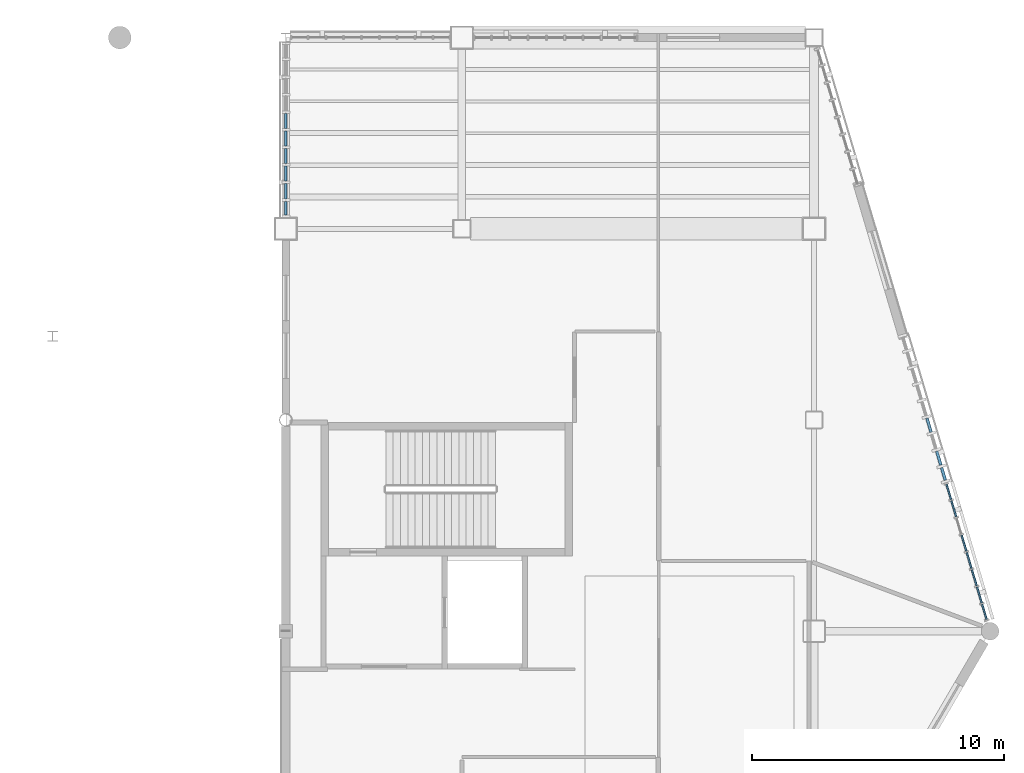
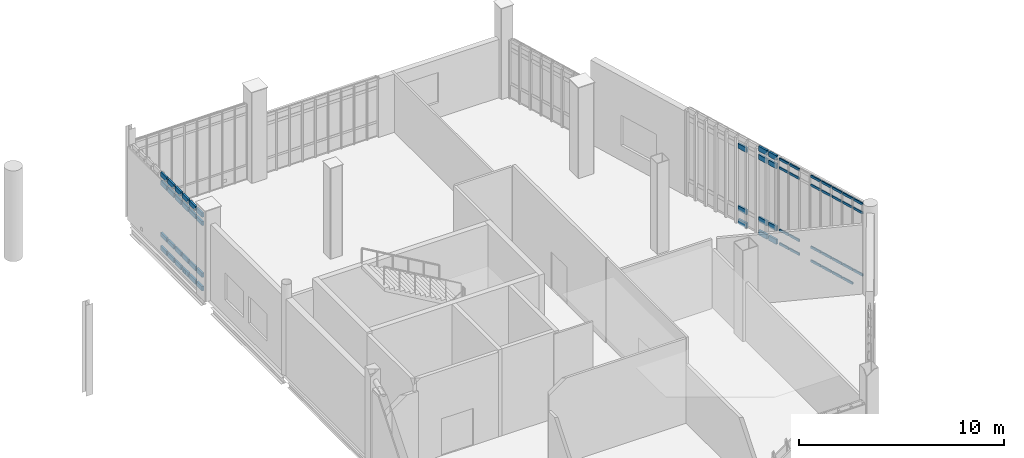
# One storey, part 64 of 127: 62 members, 3 elements without a shape of their own.
"""IFC4 building model written with IfcOpenShell, lengths in metres."""

from ifc_helpers import new_model, si_unit, direction, frame, origin, origin_2d, place, context, subcontext, project, spatial, rectangle, extrude, material, material_profile, profile_set, type_object, element, aggregate, save


model = new_model("IFC4")

# Units and contexts
model_context = context("Model", 3, precision=1e-05, world=origin(), true_north=direction((0.0, 1.0)))
body_context = subcontext(model_context, "Body", "Model", "MODEL_VIEW")
ifc_project = project(units=[si_unit("LENGTHUNIT", "METRE"), si_unit("AREAUNIT", "SQUARE_METRE"), si_unit("VOLUMEUNIT", "CUBIC_METRE"), si_unit("PLANEANGLEUNIT", "RADIAN"), si_unit("MASSUNIT", "GRAM", prefix="KILO")], contexts=[model_context])

# Site, building, storey
site_placement = place(None, origin())
site = spatial("IfcSite", under=ifc_project, at=site_placement, CompositionType="ELEMENT")
building_placement = place(site_placement, origin())
building = spatial("IfcBuilding", under=site, at=building_placement, Name="Larkvane Passage Sports Hall", CompositionType="ELEMENT")
storey_placement = place(building_placement, frame((0.0, 0.0, 5.39990234375)))
storey = spatial("IfcBuildingStorey", under=building, at=storey_placement, Name="L01", CompositionType="ELEMENT", Elevation=5.39990234375)

# Curtain wall, members
ifc_material_1 = material(Name="Thermally broken aluminium and low-E glazing", Category="aluminium")
curtain_wall_type_1 = type_object("IfcCurtainWallType", Name="CW-CLINIC", PredefinedType="USERDEFINED", material=ifc_material_1)
curtain_wall_1_placement = place(storey_placement, origin())
curtain_wall_1 = element("IfcCurtainWall", 1, at=curtain_wall_1_placement, inside=storey, type_object=curtain_wall_type_1, Name="Curtain wall CW5-L01-051", ObjectType="UNITISED CURTAIN WALL", PredefinedType="USERDEFINED")
ifc_material_2 = material(Name="Anodised aluminium 6063-T6", Category="aluminium")
ifc_material_profile_1 = material_profile(ifc_material_2, rectangle(XDim=0.10009765625, YDim=0.260009765625, at=origin_2d()), Name="ALU-TRN-100x260")
ifc_profile_set_1 = profile_set([ifc_material_profile_1], Name="Anodised aluminium 6063-T6")
member_type_1 = type_object("IfcMemberType", Name="CW-TRN-100x260", PredefinedType="USERDEFINED", material=ifc_profile_set_1)
member_1_placement = place(storey_placement, frame((124.60009765625, 92.14599609375, 0.050048828125), z_axis=(0.0, 1.0, 0.0), x_axis=(-1.0, 0.0, 0.0)))
member_1 = element("IfcMember", 2, at=member_1_placement, type_object=member_type_1, Name="CW-05 transom 1.1", ObjectType="TRANSOM", PredefinedType="USERDEFINED", context=body_context, shape_type="SweptSolid", body=[
    extrude(rectangle(XDim=0.10009765625, YDim=0.260009765625, at=origin_2d()), origin(), (0.0, 0.0, 1.0), 0.54833984375),
])
member_2_placement = place(storey_placement, frame((124.60009765625, 92.14599609375, 0.85009765625), z_axis=(0.0, 1.0, 0.0), x_axis=(-1.0, 0.0, 0.0)))
member_2 = element("IfcMember", 3, at=member_2_placement, type_object=member_type_1, Name="CW-05 transom 1.2", ObjectType="TRANSOM", PredefinedType="USERDEFINED", context=body_context, shape_type="SweptSolid", body=[
    extrude(rectangle(XDim=0.10009765625, YDim=0.260009765625, at=origin_2d()), origin(), (0.0, 0.0, 1.0), 0.54833984375),
])
member_3_placement = place(storey_placement, frame((124.60009765625, 92.14599609375, 3.93017578125), z_axis=(0.0, 1.0, 0.0), x_axis=(-1.0, 0.0, 0.0)))
member_3 = element("IfcMember", 4, at=member_3_placement, type_object=member_type_1, Name="CW-05 transom 1.3", ObjectType="TRANSOM", PredefinedType="USERDEFINED", context=body_context, shape_type="SweptSolid", body=[
    extrude(rectangle(XDim=0.10009765625, YDim=0.260009765625, at=origin_2d()), origin(), (0.0, 0.0, 1.0), 0.54833984375),
])
member_4_placement = place(storey_placement, frame((124.60009765625, 92.14599609375, 4.43017578125), z_axis=(0.0, 1.0, 0.0), x_axis=(-1.0, 0.0, 0.0)))
member_4 = element("IfcMember", 5, at=member_4_placement, type_object=member_type_1, Name="CW-05 transom 1.4", ObjectType="TRANSOM", PredefinedType="USERDEFINED", context=body_context, shape_type="SweptSolid", body=[
    extrude(rectangle(XDim=0.10009765625, YDim=0.260009765625, at=origin_2d()), origin(), (0.0, 0.0, 1.0), 0.54833984375),
])
member_5_placement = place(storey_placement, frame((124.60009765625, 92.794189453125, 0.050048828125), z_axis=(0.0, 1.0, 0.0), x_axis=(-1.0, 0.0, 0.0)))
member_5 = element("IfcMember", 6, at=member_5_placement, type_object=member_type_1, Name="CW-05 transom 2.1", ObjectType="TRANSOM", PredefinedType="USERDEFINED", context=body_context, shape_type="SweptSolid", body=[
    extrude(rectangle(XDim=0.10009765625, YDim=0.260009765625, at=origin_2d()), origin(), (0.0, 0.0, 1.0), 0.598388671875),
])
member_6_placement = place(storey_placement, frame((124.60009765625, 92.794189453125, 0.85009765625), z_axis=(0.0, 1.0, 0.0), x_axis=(-1.0, 0.0, 0.0)))
member_6 = element("IfcMember", 7, at=member_6_placement, type_object=member_type_1, Name="CW-05 transom 2.2", ObjectType="TRANSOM", PredefinedType="USERDEFINED", context=body_context, shape_type="SweptSolid", body=[
    extrude(rectangle(XDim=0.10009765625, YDim=0.260009765625, at=origin_2d()), origin(), (0.0, 0.0, 1.0), 0.598388671875),
])
member_7_placement = place(storey_placement, frame((124.60009765625, 92.794189453125, 3.93017578125), z_axis=(0.0, 1.0, 0.0), x_axis=(-1.0, 0.0, 0.0)))
member_7 = element("IfcMember", 8, at=member_7_placement, type_object=member_type_1, Name="CW-05 transom 2.3", ObjectType="TRANSOM", PredefinedType="USERDEFINED", context=body_context, shape_type="SweptSolid", body=[
    extrude(rectangle(XDim=0.10009765625, YDim=0.260009765625, at=origin_2d()), origin(), (0.0, 0.0, 1.0), 0.598388671875),
])
member_8_placement = place(storey_placement, frame((124.60009765625, 92.794189453125, 4.43017578125), z_axis=(0.0, 1.0, 0.0), x_axis=(-1.0, 0.0, 0.0)))
member_8 = element("IfcMember", 9, at=member_8_placement, type_object=member_type_1, Name="CW-05 transom 2.4", ObjectType="TRANSOM", PredefinedType="USERDEFINED", context=body_context, shape_type="SweptSolid", body=[
    extrude(rectangle(XDim=0.10009765625, YDim=0.260009765625, at=origin_2d()), origin(), (0.0, 0.0, 1.0), 0.598388671875),
])
member_9_placement = place(storey_placement, frame((124.60009765625, 93.49267578125, 0.050048828125), z_axis=(0.0, 1.0, 0.0), x_axis=(-1.0, 0.0, 0.0)))
member_9 = element("IfcMember", 10, at=member_9_placement, type_object=member_type_1, Name="CW-05 transom 3.1", ObjectType="TRANSOM", PredefinedType="USERDEFINED", context=body_context, shape_type="SweptSolid", body=[
    extrude(rectangle(XDim=0.10009765625, YDim=0.260009765625, at=origin_2d()), origin(), (0.0, 0.0, 1.0), 0.59814453125),
])
member_10_placement = place(storey_placement, frame((124.60009765625, 93.49267578125, 0.85009765625), z_axis=(0.0, 1.0, 0.0), x_axis=(-1.0, 0.0, 0.0)))
member_10 = element("IfcMember", 11, at=member_10_placement, type_object=member_type_1, Name="CW-05 transom 3.2", ObjectType="TRANSOM", PredefinedType="USERDEFINED", context=body_context, shape_type="SweptSolid", body=[
    extrude(rectangle(XDim=0.10009765625, YDim=0.260009765625, at=origin_2d()), origin(), (0.0, 0.0, 1.0), 0.59814453125),
])
member_11_placement = place(storey_placement, frame((124.60009765625, 93.49267578125, 3.93017578125), z_axis=(0.0, 1.0, 0.0), x_axis=(-1.0, 0.0, 0.0)))
member_11 = element("IfcMember", 12, at=member_11_placement, type_object=member_type_1, Name="CW-05 transom 3.3", ObjectType="TRANSOM", PredefinedType="USERDEFINED", context=body_context, shape_type="SweptSolid", body=[
    extrude(rectangle(XDim=0.10009765625, YDim=0.260009765625, at=origin_2d()), origin(), (0.0, 0.0, 1.0), 0.59814453125),
])
member_12_placement = place(storey_placement, frame((124.60009765625, 93.49267578125, 4.43017578125), z_axis=(0.0, 1.0, 0.0), x_axis=(-1.0, 0.0, 0.0)))
member_12 = element("IfcMember", 13, at=member_12_placement, type_object=member_type_1, Name="CW-05 transom 3.4", ObjectType="TRANSOM", PredefinedType="USERDEFINED", context=body_context, shape_type="SweptSolid", body=[
    extrude(rectangle(XDim=0.10009765625, YDim=0.260009765625, at=origin_2d()), origin(), (0.0, 0.0, 1.0), 0.59814453125),
])
member_13_placement = place(storey_placement, frame((124.60009765625, 94.19091796875, 0.050048828125), z_axis=(0.0, 1.0, 0.0), x_axis=(-1.0, 0.0, 0.0)))
member_13 = element("IfcMember", 14, at=member_13_placement, type_object=member_type_1, Name="CW-05 transom 4.1", ObjectType="TRANSOM", PredefinedType="USERDEFINED", context=body_context, shape_type="SweptSolid", body=[
    extrude(rectangle(XDim=0.10009765625, YDim=0.260009765625, at=origin_2d()), origin(), (0.0, 0.0, 1.0), 0.598388671875),
])
member_14_placement = place(storey_placement, frame((124.60009765625, 94.19091796875, 0.85009765625), z_axis=(0.0, 1.0, 0.0), x_axis=(-1.0, 0.0, 0.0)))
member_14 = element("IfcMember", 15, at=member_14_placement, type_object=member_type_1, Name="CW-05 transom 4.2", ObjectType="TRANSOM", PredefinedType="USERDEFINED", context=body_context, shape_type="SweptSolid", body=[
    extrude(rectangle(XDim=0.10009765625, YDim=0.260009765625, at=origin_2d()), origin(), (0.0, 0.0, 1.0), 0.598388671875),
])
member_15_placement = place(storey_placement, frame((124.60009765625, 94.19091796875, 3.93017578125), z_axis=(0.0, 1.0, 0.0), x_axis=(-1.0, 0.0, 0.0)))
member_15 = element("IfcMember", 16, at=member_15_placement, type_object=member_type_1, Name="CW-05 transom 4.3", ObjectType="TRANSOM", PredefinedType="USERDEFINED", context=body_context, shape_type="SweptSolid", body=[
    extrude(rectangle(XDim=0.10009765625, YDim=0.260009765625, at=origin_2d()), origin(), (0.0, 0.0, 1.0), 0.598388671875),
])
member_16_placement = place(storey_placement, frame((124.60009765625, 94.19091796875, 4.43017578125), z_axis=(0.0, 1.0, 0.0), x_axis=(-1.0, 0.0, 0.0)))
member_16 = element("IfcMember", 17, at=member_16_placement, type_object=member_type_1, Name="CW-05 transom 4.4", ObjectType="TRANSOM", PredefinedType="USERDEFINED", context=body_context, shape_type="SweptSolid", body=[
    extrude(rectangle(XDim=0.10009765625, YDim=0.260009765625, at=origin_2d()), origin(), (0.0, 0.0, 1.0), 0.598388671875),
])
member_17_placement = place(storey_placement, frame((124.60009765625, 94.88916015625, 0.050048828125), z_axis=(0.0, 1.0, 0.0), x_axis=(-1.0, 0.0, 0.0)))
member_17 = element("IfcMember", 18, at=member_17_placement, type_object=member_type_1, Name="CW-05 transom 5.1", ObjectType="TRANSOM", PredefinedType="USERDEFINED", context=body_context, shape_type="SweptSolid", body=[
    extrude(rectangle(XDim=0.10009765625, YDim=0.260009765625, at=origin_2d()), origin(), (0.0, 0.0, 1.0), 0.598388671875),
])
member_18_placement = place(storey_placement, frame((124.60009765625, 94.88916015625, 0.85009765625), z_axis=(0.0, 1.0, 0.0), x_axis=(-1.0, 0.0, 0.0)))
member_18 = element("IfcMember", 19, at=member_18_placement, type_object=member_type_1, Name="CW-05 transom 5.2", ObjectType="TRANSOM", PredefinedType="USERDEFINED", context=body_context, shape_type="SweptSolid", body=[
    extrude(rectangle(XDim=0.10009765625, YDim=0.260009765625, at=origin_2d()), origin(), (0.0, 0.0, 1.0), 0.598388671875),
])
member_19_placement = place(storey_placement, frame((124.60009765625, 94.88916015625, 3.93017578125), z_axis=(0.0, 1.0, 0.0), x_axis=(-1.0, 0.0, 0.0)))
member_19 = element("IfcMember", 20, at=member_19_placement, type_object=member_type_1, Name="CW-05 transom 5.3", ObjectType="TRANSOM", PredefinedType="USERDEFINED", context=body_context, shape_type="SweptSolid", body=[
    extrude(rectangle(XDim=0.10009765625, YDim=0.260009765625, at=origin_2d()), origin(), (0.0, 0.0, 1.0), 0.598388671875),
])
member_20_placement = place(storey_placement, frame((124.60009765625, 94.88916015625, 4.43017578125), z_axis=(0.0, 1.0, 0.0), x_axis=(-1.0, 0.0, 0.0)))
member_20 = element("IfcMember", 21, at=member_20_placement, type_object=member_type_1, Name="CW-05 transom 5.4", ObjectType="TRANSOM", PredefinedType="USERDEFINED", context=body_context, shape_type="SweptSolid", body=[
    extrude(rectangle(XDim=0.10009765625, YDim=0.260009765625, at=origin_2d()), origin(), (0.0, 0.0, 1.0), 0.598388671875),
])
member_21_placement = place(storey_placement, frame((124.60009765625, 95.58740234375, 0.050048828125), z_axis=(0.0, 1.0, 0.0), x_axis=(-1.0, 0.0, 0.0)))
member_21 = element("IfcMember", 22, at=member_21_placement, type_object=member_type_1, Name="CW-05 transom 6.1", ObjectType="TRANSOM", PredefinedType="USERDEFINED", context=body_context, shape_type="SweptSolid", body=[
    extrude(rectangle(XDim=0.10009765625, YDim=0.260009765625, at=origin_2d()), origin(), (0.0, 0.0, 1.0), 0.598388671875),
])
member_22_placement = place(storey_placement, frame((124.60009765625, 95.58740234375, 0.85009765625), z_axis=(0.0, 1.0, 0.0), x_axis=(-1.0, 0.0, 0.0)))
member_22 = element("IfcMember", 23, at=member_22_placement, type_object=member_type_1, Name="CW-05 transom 6.2", ObjectType="TRANSOM", PredefinedType="USERDEFINED", context=body_context, shape_type="SweptSolid", body=[
    extrude(rectangle(XDim=0.10009765625, YDim=0.260009765625, at=origin_2d()), origin(), (0.0, 0.0, 1.0), 0.598388671875),
])
member_23_placement = place(storey_placement, frame((124.60009765625, 95.58740234375, 3.93017578125), z_axis=(0.0, 1.0, 0.0), x_axis=(-1.0, 0.0, 0.0)))
member_23 = element("IfcMember", 24, at=member_23_placement, type_object=member_type_1, Name="CW-05 transom 6.3", ObjectType="TRANSOM", PredefinedType="USERDEFINED", context=body_context, shape_type="SweptSolid", body=[
    extrude(rectangle(XDim=0.10009765625, YDim=0.260009765625, at=origin_2d()), origin(), (0.0, 0.0, 1.0), 0.598388671875),
])
member_24_placement = place(storey_placement, frame((124.60009765625, 95.58740234375, 4.43017578125), z_axis=(0.0, 1.0, 0.0), x_axis=(-1.0, 0.0, 0.0)))
member_24 = element("IfcMember", 25, at=member_24_placement, type_object=member_type_1, Name="CW-05 transom 6.4", ObjectType="TRANSOM", PredefinedType="USERDEFINED", context=body_context, shape_type="SweptSolid", body=[
    extrude(rectangle(XDim=0.10009765625, YDim=0.260009765625, at=origin_2d()), origin(), (0.0, 0.0, 1.0), 0.598388671875),
])
aggregate(curtain_wall_1, [member_1, member_2, member_3, member_4, member_5, member_6, member_7, member_8, member_9, member_10, member_11, member_12, member_13, member_14, member_15, member_16, member_17, member_18, member_19, member_20, member_21, member_22, member_23, member_24])

curtain_wall_2_placement = place(storey_placement, origin())
curtain_wall_2 = element("IfcCurtainWall", 26, at=curtain_wall_2_placement, inside=storey, type_object=curtain_wall_type_1, Name="Curtain wall CW5-L01-055", ObjectType="UNITISED CURTAIN WALL", PredefinedType="USERDEFINED")
ifc_material_profile_2 = material_profile(ifc_material_2, rectangle(XDim=0.110107421875, YDim=0.2900390625, at=origin_2d()), Name="ALU-TRN-110x290")
ifc_profile_set_2 = profile_set([ifc_material_profile_2], Name="Anodised aluminium 6063-T6")
member_type_2 = type_object("IfcMemberType", Name="CW-TRN-110x290", PredefinedType="USERDEFINED", material=ifc_profile_set_2)
member_25_placement = place(storey_placement, frame((150.087890625, 84.069580078125, 0.05517578125), z_axis=(0.284146260843, -0.958780946019, 0.0), x_axis=(0.958780946019, 0.284146260843, 0.0)))
member_25 = element("IfcMember", 27, at=member_25_placement, type_object=member_type_2, Name="CW-05 transom 6.1", ObjectType="TRANSOM", PredefinedType="USERDEFINED", context=body_context, shape_type="SweptSolid", body=[
    extrude(rectangle(XDim=0.110107421875, YDim=0.2900390625, at=origin_2d()), origin(), (0.0, 0.0, 1.0), 0.573974609375),
])
member_26_placement = place(storey_placement, frame((150.087890625, 84.069580078125, 0.85009765625), z_axis=(0.284146260843, -0.958780946019, 0.0), x_axis=(0.958780946019, 0.284146260843, 0.0)))
member_26 = element("IfcMember", 28, at=member_26_placement, type_object=member_type_2, Name="CW-05 transom 6.2", ObjectType="TRANSOM", PredefinedType="USERDEFINED", context=body_context, shape_type="SweptSolid", body=[
    extrude(rectangle(XDim=0.110107421875, YDim=0.2900390625, at=origin_2d()), origin(), (0.0, 0.0, 1.0), 0.573974609375),
])
member_27_placement = place(storey_placement, frame((150.087890625, 84.069580078125, 4.550048828125), z_axis=(0.284146260843, -0.958780946019, 0.0), x_axis=(0.958780946019, 0.284146260843, 0.0)))
member_27 = element("IfcMember", 29, at=member_27_placement, type_object=member_type_2, Name="CW-05 transom 6.3", ObjectType="TRANSOM", PredefinedType="USERDEFINED", context=body_context, shape_type="SweptSolid", body=[
    extrude(rectangle(XDim=0.110107421875, YDim=0.2900390625, at=origin_2d()), origin(), (0.0, 0.0, 1.0), 0.573974609375),
])
member_28_placement = place(storey_placement, frame((150.476806640625, 82.75830078125, 0.05517578125), z_axis=(0.284262190939, -0.958746581116, 0.0), x_axis=(0.958746581116, 0.284262190939, 0.0)))
member_28 = element("IfcMember", 30, at=member_28_placement, type_object=member_type_2, Name="CW-05 transom 8.1", ObjectType="TRANSOM", PredefinedType="USERDEFINED", context=body_context, shape_type="SweptSolid", body=[
    extrude(rectangle(XDim=0.110107421875, YDim=0.2900390625, at=origin_2d()), origin(), (0.0, 0.0, 1.0), 0.57373046875),
])
member_29_placement = place(storey_placement, frame((150.476806640625, 82.75830078125, 0.85009765625), z_axis=(0.284262190939, -0.958746581116, 0.0), x_axis=(0.958746581116, 0.284262190939, 0.0)))
member_29 = element("IfcMember", 31, at=member_29_placement, type_object=member_type_2, Name="CW-05 transom 8.2", ObjectType="TRANSOM", PredefinedType="USERDEFINED", context=body_context, shape_type="SweptSolid", body=[
    extrude(rectangle(XDim=0.110107421875, YDim=0.2900390625, at=origin_2d()), origin(), (0.0, 0.0, 1.0), 0.57373046875),
])
member_30_placement = place(storey_placement, frame((150.476806640625, 82.75830078125, 4.550048828125), z_axis=(0.284262190939, -0.958746581116, 0.0), x_axis=(0.958746581116, 0.284262190939, 0.0)))
member_30 = element("IfcMember", 32, at=member_30_placement, type_object=member_type_2, Name="CW-05 transom 8.3", ObjectType="TRANSOM", PredefinedType="USERDEFINED", context=body_context, shape_type="SweptSolid", body=[
    extrude(rectangle(XDim=0.110107421875, YDim=0.2900390625, at=origin_2d()), origin(), (0.0, 0.0, 1.0), 0.57373046875),
])
member_31_placement = place(storey_placement, frame((150.476806640625, 82.75830078125, 5.045166015625), z_axis=(0.284262190939, -0.958746581116, 0.0), x_axis=(0.958746581116, 0.284262190939, 0.0)))
member_31 = element("IfcMember", 33, at=member_31_placement, type_object=member_type_2, Name="CW-05 transom 8.4", ObjectType="TRANSOM", PredefinedType="USERDEFINED", context=body_context, shape_type="SweptSolid", body=[
    extrude(rectangle(XDim=0.110107421875, YDim=0.2900390625, at=origin_2d()), origin(), (0.0, 0.0, 1.0), 0.57373046875),
])
member_32_placement = place(storey_placement, frame((150.671142578125, 82.102783203125, 0.05517578125), z_axis=(0.284280625245, -0.958741115271, 0.0), x_axis=(0.958741115271, 0.284280625245, 0.0)))
member_32 = element("IfcMember", 34, at=member_32_placement, type_object=member_type_2, Name="CW-05 transom 9.1", ObjectType="TRANSOM", PredefinedType="USERDEFINED", context=body_context, shape_type="SweptSolid", body=[
    extrude(rectangle(XDim=0.110107421875, YDim=0.2900390625, at=origin_2d()), origin(), (0.0, 0.0, 1.0), 0.518798828125),
])
member_33_placement = place(storey_placement, frame((150.671142578125, 82.102783203125, 0.85009765625), z_axis=(0.284280625245, -0.958741115271, 0.0), x_axis=(0.958741115271, 0.284280625245, 0.0)))
member_33 = element("IfcMember", 35, at=member_33_placement, type_object=member_type_2, Name="CW-05 transom 9.2", ObjectType="TRANSOM", PredefinedType="USERDEFINED", context=body_context, shape_type="SweptSolid", body=[
    extrude(rectangle(XDim=0.110107421875, YDim=0.2900390625, at=origin_2d()), origin(), (0.0, 0.0, 1.0), 0.518798828125),
])
member_34_placement = place(storey_placement, frame((150.671142578125, 82.102783203125, 4.550048828125), z_axis=(0.284280625245, -0.958741115271, 0.0), x_axis=(0.958741115271, 0.284280625245, 0.0)))
member_34 = element("IfcMember", 36, at=member_34_placement, type_object=member_type_2, Name="CW-05 transom 9.3", ObjectType="TRANSOM", PredefinedType="USERDEFINED", context=body_context, shape_type="SweptSolid", body=[
    extrude(rectangle(XDim=0.110107421875, YDim=0.2900390625, at=origin_2d()), origin(), (0.0, 0.0, 1.0), 0.518798828125),
])
member_35_placement = place(storey_placement, frame((150.671142578125, 82.102783203125, 5.045166015625), z_axis=(0.284280625245, -0.958741115271, 0.0), x_axis=(0.958741115271, 0.284280625245, 0.0)))
member_35 = element("IfcMember", 37, at=member_35_placement, type_object=member_type_2, Name="CW-05 transom 9.4", ObjectType="TRANSOM", PredefinedType="USERDEFINED", context=body_context, shape_type="SweptSolid", body=[
    extrude(rectangle(XDim=0.110107421875, YDim=0.2900390625, at=origin_2d()), origin(), (0.0, 0.0, 1.0), 0.518798828125),
])
aggregate(curtain_wall_2, [member_25, member_26, member_27, member_28, member_29, member_30, member_31, member_32, member_33, member_34, member_35])

curtain_wall_type_2 = type_object("IfcCurtainWallType", Name="CW-UNIT-COURT", PredefinedType="USERDEFINED", material=ifc_material_1)
curtain_wall_3_placement = place(storey_placement, origin())
curtain_wall_3 = element("IfcCurtainWall", 38, at=curtain_wall_3_placement, inside=storey, type_object=curtain_wall_type_2, Name="Curtain wall CW5-L01-056", ObjectType="UNITISED CURTAIN WALL", PredefinedType="USERDEFINED")
ifc_material_profile_3 = material_profile(ifc_material_2, rectangle(XDim=0.06494140625, YDim=0.139892578125, at=origin_2d()), Name="ALU-TRN-65x140")
ifc_profile_set_3 = profile_set([ifc_material_profile_3], Name="Anodised aluminium 6063-T6")
member_type_3 = type_object("IfcMemberType", Name="CW-TRN-65x140", PredefinedType="USERDEFINED", material=ifc_profile_set_3)
member_36_placement = place(storey_placement, frame((150.868408203125, 81.437744140625, 0.03271484375), z_axis=(0.284411100465, -0.958702417819, 0.0), x_axis=(0.958702417819, 0.284411100465, 0.0)))
member_36 = element("IfcMember", 39, at=member_36_placement, type_object=member_type_3, Name="CW-01 transom 1.1", ObjectType="TRANSOM", PredefinedType="USERDEFINED", context=body_context, shape_type="SweptSolid", body=[
    extrude(rectangle(XDim=0.06494140625, YDim=0.139892578125, at=origin_2d()), origin(), (0.0, 0.0, 1.0), 0.6181640625),
])
member_37_placement = place(storey_placement, frame((150.868408203125, 81.437744140625, 0.85009765625), z_axis=(0.284411100465, -0.958702417819, 0.0), x_axis=(0.958702417819, 0.284411100465, 0.0)))
member_37 = element("IfcMember", 40, at=member_37_placement, type_object=member_type_3, Name="CW-01 transom 1.2", ObjectType="TRANSOM", PredefinedType="USERDEFINED", context=body_context, shape_type="SweptSolid", body=[
    extrude(rectangle(XDim=0.06494140625, YDim=0.139892578125, at=origin_2d()), origin(), (0.0, 0.0, 1.0), 0.6181640625),
])
member_38_placement = place(storey_placement, frame((150.868408203125, 81.437744140625, 4.550048828125), z_axis=(0.284411100465, -0.958702417819, 0.0), x_axis=(0.958702417819, 0.284411100465, 0.0)))
member_38 = element("IfcMember", 41, at=member_38_placement, type_object=member_type_3, Name="CW-01 transom 1.3", ObjectType="TRANSOM", PredefinedType="USERDEFINED", context=body_context, shape_type="SweptSolid", body=[
    extrude(rectangle(XDim=0.06494140625, YDim=0.139892578125, at=origin_2d()), origin(), (0.0, 0.0, 1.0), 0.6181640625),
])
member_39_placement = place(storey_placement, frame((150.868408203125, 81.437744140625, 5.067626953125), z_axis=(0.284411100465, -0.958702417819, 0.0), x_axis=(0.958702417819, 0.284411100465, 0.0)))
member_39 = element("IfcMember", 42, at=member_39_placement, type_object=member_type_3, Name="CW-01 transom 1.4", ObjectType="TRANSOM", PredefinedType="USERDEFINED", context=body_context, shape_type="SweptSolid", body=[
    extrude(rectangle(XDim=0.06494140625, YDim=0.139892578125, at=origin_2d()), origin(), (0.0, 0.0, 1.0), 0.6181640625),
])
member_40_placement = place(storey_placement, frame((151.062744140625, 80.782958984375, 0.03271484375), z_axis=(0.284177799577, -0.958771598572, 0.0), x_axis=(0.958771598572, 0.284177799577, 0.0)))
member_40 = element("IfcMember", 43, at=member_40_placement, type_object=member_type_3, Name="CW-01 transom 2.1", ObjectType="TRANSOM", PredefinedType="USERDEFINED", context=body_context, shape_type="SweptSolid", body=[
    extrude(rectangle(XDim=0.06494140625, YDim=0.139892578125, at=origin_2d()), origin(), (0.0, 0.0, 1.0), 0.650390625),
])
member_41_placement = place(storey_placement, frame((151.062744140625, 80.782958984375, 0.85009765625), z_axis=(0.284177799577, -0.958771598572, 0.0), x_axis=(0.958771598572, 0.284177799577, 0.0)))
member_41 = element("IfcMember", 44, at=member_41_placement, type_object=member_type_3, Name="CW-01 transom 2.2", ObjectType="TRANSOM", PredefinedType="USERDEFINED", context=body_context, shape_type="SweptSolid", body=[
    extrude(rectangle(XDim=0.06494140625, YDim=0.139892578125, at=origin_2d()), origin(), (0.0, 0.0, 1.0), 0.650390625),
])
member_42_placement = place(storey_placement, frame((151.062744140625, 80.782958984375, 4.550048828125), z_axis=(0.284177799577, -0.958771598572, 0.0), x_axis=(0.958771598572, 0.284177799577, 0.0)))
member_42 = element("IfcMember", 45, at=member_42_placement, type_object=member_type_3, Name="CW-01 transom 2.3", ObjectType="TRANSOM", PredefinedType="USERDEFINED", context=body_context, shape_type="SweptSolid", body=[
    extrude(rectangle(XDim=0.06494140625, YDim=0.139892578125, at=origin_2d()), origin(), (0.0, 0.0, 1.0), 0.650390625),
])
member_43_placement = place(storey_placement, frame((151.062744140625, 80.782958984375, 5.067626953125), z_axis=(0.284177799577, -0.958771598572, 0.0), x_axis=(0.958771598572, 0.284177799577, 0.0)))
member_43 = element("IfcMember", 46, at=member_43_placement, type_object=member_type_3, Name="CW-01 transom 2.4", ObjectType="TRANSOM", PredefinedType="USERDEFINED", context=body_context, shape_type="SweptSolid", body=[
    extrude(rectangle(XDim=0.06494140625, YDim=0.139892578125, at=origin_2d()), origin(), (0.0, 0.0, 1.0), 0.650390625),
])
member_44_placement = place(storey_placement, frame((151.469482421875, 79.411376953125, 0.03271484375), z_axis=(0.284522828155, -0.958669265314, 0.0), x_axis=(0.958669265314, 0.284522828155, 0.0)))
member_44 = element("IfcMember", 47, at=member_44_placement, type_object=member_type_3, Name="CW-01 transom 4.1", ObjectType="TRANSOM", PredefinedType="USERDEFINED", context=body_context, shape_type="SweptSolid", body=[
    extrude(rectangle(XDim=0.06494140625, YDim=0.139892578125, at=origin_2d()), origin(), (0.0, 0.0, 1.0), 0.650390625),
])
member_45_placement = place(storey_placement, frame((151.469482421875, 79.411376953125, 0.85009765625), z_axis=(0.284522828155, -0.958669265314, 0.0), x_axis=(0.958669265314, 0.284522828155, 0.0)))
member_45 = element("IfcMember", 48, at=member_45_placement, type_object=member_type_3, Name="CW-01 transom 4.2", ObjectType="TRANSOM", PredefinedType="USERDEFINED", context=body_context, shape_type="SweptSolid", body=[
    extrude(rectangle(XDim=0.06494140625, YDim=0.139892578125, at=origin_2d()), origin(), (0.0, 0.0, 1.0), 0.650390625),
])
member_46_placement = place(storey_placement, frame((151.469482421875, 79.411376953125, 4.550048828125), z_axis=(0.284522828155, -0.958669265314, 0.0), x_axis=(0.958669265314, 0.284522828155, 0.0)))
member_46 = element("IfcMember", 49, at=member_46_placement, type_object=member_type_3, Name="CW-01 transom 4.3", ObjectType="TRANSOM", PredefinedType="USERDEFINED", context=body_context, shape_type="SweptSolid", body=[
    extrude(rectangle(XDim=0.06494140625, YDim=0.139892578125, at=origin_2d()), origin(), (0.0, 0.0, 1.0), 0.650390625),
])
member_47_placement = place(storey_placement, frame((151.469482421875, 79.411376953125, 5.067626953125), z_axis=(0.284522828155, -0.958669265314, 0.0), x_axis=(0.958669265314, 0.284522828155, 0.0)))
member_47 = element("IfcMember", 50, at=member_47_placement, type_object=member_type_3, Name="CW-01 transom 4.4", ObjectType="TRANSOM", PredefinedType="USERDEFINED", context=body_context, shape_type="SweptSolid", body=[
    extrude(rectangle(XDim=0.06494140625, YDim=0.139892578125, at=origin_2d()), origin(), (0.0, 0.0, 1.0), 0.650390625),
])
member_48_placement = place(storey_placement, frame((151.6728515625, 78.7255859375, 0.03271484375), z_axis=(0.284522828155, -0.958669265314, 0.0), x_axis=(0.958669265314, 0.284522828155, 0.0)))
member_48 = element("IfcMember", 51, at=member_48_placement, type_object=member_type_3, Name="CW-01 transom 5.1", ObjectType="TRANSOM", PredefinedType="USERDEFINED", context=body_context, shape_type="SweptSolid", body=[
    extrude(rectangle(XDim=0.06494140625, YDim=0.139892578125, at=origin_2d()), origin(), (0.0, 0.0, 1.0), 0.650390625),
])
member_49_placement = place(storey_placement, frame((151.6728515625, 78.7255859375, 0.85009765625), z_axis=(0.284522828155, -0.958669265314, 0.0), x_axis=(0.958669265314, 0.284522828155, 0.0)))
member_49 = element("IfcMember", 52, at=member_49_placement, type_object=member_type_3, Name="CW-01 transom 5.2", ObjectType="TRANSOM", PredefinedType="USERDEFINED", context=body_context, shape_type="SweptSolid", body=[
    extrude(rectangle(XDim=0.06494140625, YDim=0.139892578125, at=origin_2d()), origin(), (0.0, 0.0, 1.0), 0.650390625),
])
member_50_placement = place(storey_placement, frame((151.6728515625, 78.7255859375, 4.550048828125), z_axis=(0.284522828155, -0.958669265314, 0.0), x_axis=(0.958669265314, 0.284522828155, 0.0)))
member_50 = element("IfcMember", 53, at=member_50_placement, type_object=member_type_3, Name="CW-01 transom 5.3", ObjectType="TRANSOM", PredefinedType="USERDEFINED", context=body_context, shape_type="SweptSolid", body=[
    extrude(rectangle(XDim=0.06494140625, YDim=0.139892578125, at=origin_2d()), origin(), (0.0, 0.0, 1.0), 0.650390625),
])
member_51_placement = place(storey_placement, frame((151.6728515625, 78.7255859375, 5.067626953125), z_axis=(0.284522828155, -0.958669265314, 0.0), x_axis=(0.958669265314, 0.284522828155, 0.0)))
member_51 = element("IfcMember", 54, at=member_51_placement, type_object=member_type_3, Name="CW-01 transom 5.4", ObjectType="TRANSOM", PredefinedType="USERDEFINED", context=body_context, shape_type="SweptSolid", body=[
    extrude(rectangle(XDim=0.06494140625, YDim=0.139892578125, at=origin_2d()), origin(), (0.0, 0.0, 1.0), 0.650390625),
])
member_52_placement = place(storey_placement, frame((151.87646484375, 78.03955078125, 0.03271484375), z_axis=(0.284177799577, -0.958771598572, 0.0), x_axis=(0.958771598572, 0.284177799577, 0.0)))
member_52 = element("IfcMember", 55, at=member_52_placement, type_object=member_type_3, Name="CW-01 transom 6.1", ObjectType="TRANSOM", PredefinedType="USERDEFINED", context=body_context, shape_type="SweptSolid", body=[
    extrude(rectangle(XDim=0.06494140625, YDim=0.139892578125, at=origin_2d()), origin(), (0.0, 0.0, 1.0), 0.650390625),
])
member_53_placement = place(storey_placement, frame((151.87646484375, 78.03955078125, 0.85009765625), z_axis=(0.284177799577, -0.958771598572, 0.0), x_axis=(0.958771598572, 0.284177799577, 0.0)))
member_53 = element("IfcMember", 56, at=member_53_placement, type_object=member_type_3, Name="CW-01 transom 6.2", ObjectType="TRANSOM", PredefinedType="USERDEFINED", context=body_context, shape_type="SweptSolid", body=[
    extrude(rectangle(XDim=0.06494140625, YDim=0.139892578125, at=origin_2d()), origin(), (0.0, 0.0, 1.0), 0.650390625),
])
member_54_placement = place(storey_placement, frame((151.87646484375, 78.03955078125, 4.550048828125), z_axis=(0.284177799577, -0.958771598572, 0.0), x_axis=(0.958771598572, 0.284177799577, 0.0)))
member_54 = element("IfcMember", 57, at=member_54_placement, type_object=member_type_3, Name="CW-01 transom 6.3", ObjectType="TRANSOM", PredefinedType="USERDEFINED", context=body_context, shape_type="SweptSolid", body=[
    extrude(rectangle(XDim=0.06494140625, YDim=0.139892578125, at=origin_2d()), origin(), (0.0, 0.0, 1.0), 0.650390625),
])
member_55_placement = place(storey_placement, frame((151.87646484375, 78.03955078125, 5.067626953125), z_axis=(0.284177799577, -0.958771598572, 0.0), x_axis=(0.958771598572, 0.284177799577, 0.0)))
member_55 = element("IfcMember", 58, at=member_55_placement, type_object=member_type_3, Name="CW-01 transom 6.4", ObjectType="TRANSOM", PredefinedType="USERDEFINED", context=body_context, shape_type="SweptSolid", body=[
    extrude(rectangle(XDim=0.06494140625, YDim=0.139892578125, at=origin_2d()), origin(), (0.0, 0.0, 1.0), 0.650390625),
])
member_56_placement = place(storey_placement, frame((152.079833984375, 77.353759765625, 0.03271484375), z_axis=(0.284177799577, -0.958771598572, 0.0), x_axis=(0.958771598572, 0.284177799577, 0.0)))
member_56 = element("IfcMember", 59, at=member_56_placement, type_object=member_type_3, Name="CW-01 transom 7.1", ObjectType="TRANSOM", PredefinedType="USERDEFINED", context=body_context, shape_type="SweptSolid", body=[
    extrude(rectangle(XDim=0.06494140625, YDim=0.139892578125, at=origin_2d()), origin(), (0.0, 0.0, 1.0), 0.650390625),
])
member_57_placement = place(storey_placement, frame((152.079833984375, 77.353759765625, 0.85009765625), z_axis=(0.284177799577, -0.958771598572, 0.0), x_axis=(0.958771598572, 0.284177799577, 0.0)))
member_57 = element("IfcMember", 60, at=member_57_placement, type_object=member_type_3, Name="CW-01 transom 7.2", ObjectType="TRANSOM", PredefinedType="USERDEFINED", context=body_context, shape_type="SweptSolid", body=[
    extrude(rectangle(XDim=0.06494140625, YDim=0.139892578125, at=origin_2d()), origin(), (0.0, 0.0, 1.0), 0.650390625),
])
member_58_placement = place(storey_placement, frame((152.079833984375, 77.353759765625, 4.550048828125), z_axis=(0.284177799577, -0.958771598572, 0.0), x_axis=(0.958771598572, 0.284177799577, 0.0)))
member_58 = element("IfcMember", 61, at=member_58_placement, type_object=member_type_3, Name="CW-01 transom 7.3", ObjectType="TRANSOM", PredefinedType="USERDEFINED", context=body_context, shape_type="SweptSolid", body=[
    extrude(rectangle(XDim=0.06494140625, YDim=0.139892578125, at=origin_2d()), origin(), (0.0, 0.0, 1.0), 0.650390625),
])
member_59_placement = place(storey_placement, frame((152.079833984375, 77.353759765625, 5.067626953125), z_axis=(0.284177799577, -0.958771598572, 0.0), x_axis=(0.958771598572, 0.284177799577, 0.0)))
member_59 = element("IfcMember", 62, at=member_59_placement, type_object=member_type_3, Name="CW-01 transom 7.4", ObjectType="TRANSOM", PredefinedType="USERDEFINED", context=body_context, shape_type="SweptSolid", body=[
    extrude(rectangle(XDim=0.06494140625, YDim=0.139892578125, at=origin_2d()), origin(), (0.0, 0.0, 1.0), 0.650390625),
])
member_60_placement = place(storey_placement, frame((152.283203125, 76.66796875, 0.85009765625), z_axis=(0.284518846593, -0.958670446991, 0.0), x_axis=(0.958670446991, 0.284518846593, 0.0)))
member_60 = element("IfcMember", 63, at=member_60_placement, type_object=member_type_3, Name="CW-01 transom 8.2", ObjectType="TRANSOM", PredefinedType="USERDEFINED", context=body_context, shape_type="SweptSolid", body=[
    extrude(rectangle(XDim=0.06494140625, YDim=0.139892578125, at=origin_2d()), origin(), (0.0, 0.0, 1.0), 0.617919921875),
])
member_61_placement = place(storey_placement, frame((152.283203125, 76.66796875, 4.550048828125), z_axis=(0.284518846593, -0.958670446991, 0.0), x_axis=(0.958670446991, 0.284518846593, 0.0)))
member_61 = element("IfcMember", 64, at=member_61_placement, type_object=member_type_3, Name="CW-01 transom 8.3", ObjectType="TRANSOM", PredefinedType="USERDEFINED", context=body_context, shape_type="SweptSolid", body=[
    extrude(rectangle(XDim=0.06494140625, YDim=0.139892578125, at=origin_2d()), origin(), (0.0, 0.0, 1.0), 0.617919921875),
])
member_62_placement = place(storey_placement, frame((152.283203125, 76.66796875, 5.067626953125), z_axis=(0.284518846593, -0.958670446991, 0.0), x_axis=(0.958670446991, 0.284518846593, 0.0)))
member_62 = element("IfcMember", 65, at=member_62_placement, type_object=member_type_3, Name="CW-01 transom 8.4", ObjectType="TRANSOM", PredefinedType="USERDEFINED", context=body_context, shape_type="SweptSolid", body=[
    extrude(rectangle(XDim=0.06494140625, YDim=0.139892578125, at=origin_2d()), origin(), (0.0, 0.0, 1.0), 0.617919921875),
])
aggregate(curtain_wall_3, [member_36, member_37, member_38, member_39, member_40, member_41, member_42, member_43, member_44, member_45, member_46, member_47, member_48, member_49, member_50, member_51, member_52, member_53, member_54, member_55, member_56, member_57, member_58, member_59, member_60, member_61, member_62])

save(model, "model.ifc")
